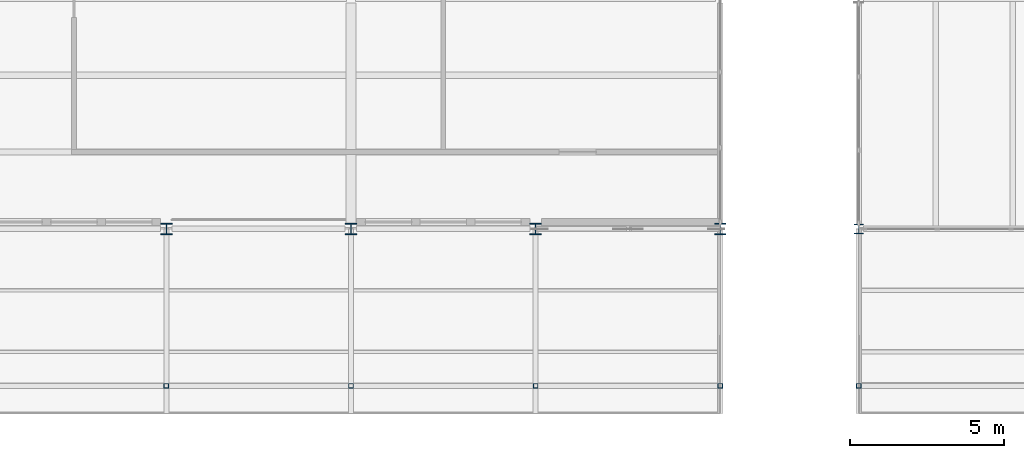
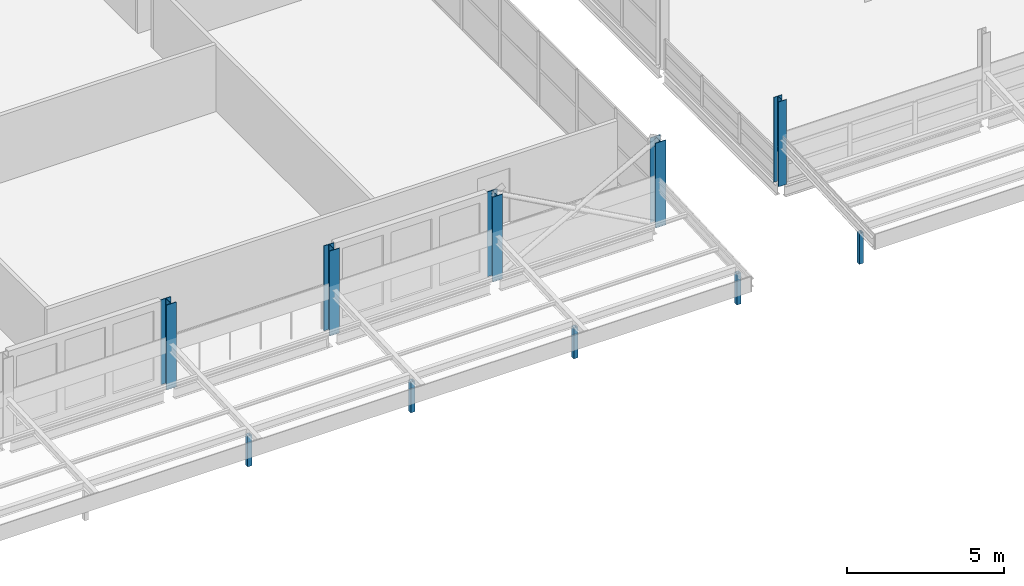
# One storey, part 6 of 214: 10 columns.
"""IFC4 building model written with IfcOpenShell, lengths in metres."""

from ifc_helpers import new_model, si_unit, direction, frame, origin, origin_2d, place, context, subcontext, project, spatial, hollow_rectangle, i_section, extrude, material, material_profile, profile_set, type_object, element, save


model = new_model("IFC4")

# Units and contexts
model_context = context("Model", 3, precision=1e-05, world=origin(), true_north=direction((0.0, 1.0)))
body_context = subcontext(model_context, "Body", "Model", "MODEL_VIEW")
ifc_project = project(units=[si_unit("LENGTHUNIT", "METRE"), si_unit("AREAUNIT", "SQUARE_METRE"), si_unit("VOLUMEUNIT", "CUBIC_METRE"), si_unit("PLANEANGLEUNIT", "RADIAN"), si_unit("MASSUNIT", "GRAM", prefix="KILO")], contexts=[model_context])

# Site, building, storey
site_placement = place(None, origin())
site = spatial("IfcSite", under=ifc_project, at=site_placement, CompositionType="ELEMENT")
building_placement = place(site_placement, origin())
building = spatial("IfcBuilding", under=site, at=building_placement, Name="Parallax Yard Mobility Hub", CompositionType="ELEMENT")
storey_placement = place(building_placement, frame((0.0, 0.0, 3.300048828125)))
storey = spatial("IfcBuildingStorey", under=building, at=storey_placement, Name="L01", CompositionType="ELEMENT", Elevation=3.300048828125)

# Columns
ifc_material_1 = material(Name="Steel ASTM A500 Gr C", Category="steel")
ifc_material_profile_1 = material_profile(ifc_material_1, hollow_rectangle(XDim=0.15234375, YDim=0.15234375, WallThickness=0.009521484375, at=origin_2d()), Name="HSS152x152x9.5")
ifc_profile_set_1 = profile_set([ifc_material_profile_1], Name="Steel ASTM A500 Gr C")
column_type_1 = type_object("IfcColumnType", Name="Roof column HSS152x152x9.5", PredefinedType="COLUMN", material=ifc_profile_set_1)
for number, where, z_axis, x_axis, name in (
    (1, (75.0, 2.39990234375, 0.0), (0.0, 0.0, 1.0), (1.0, 0.0, 0.0), "Arcade column V1 12 level L01"),
    (2, (81.0, 2.39990234375, 0.0), (0.0, 0.0, 1.0), (1.0, 0.0, 0.0), "Arcade column V1 13 level L01"),
    (3, (87.0, 2.39990234375, 0.0), (0.0, 0.0, 1.0), (1.0, 0.0, 0.0), "Arcade column V1 14 level L01"),
    (4, (93.0, 2.39990234375, 0.0), (0.0, 0.0, 1.0), (1.0, 0.0, 0.0), "Arcade column V1 15 level L01"),
    (5, (97.5, 2.39990234375, 0.0), (0.0, 0.0, 1.0), (1.0, 0.0, 0.0), "Arcade column V6 1 level L01"),
):
    element("IfcColumn", number, at=place(storey_placement, frame(where, z_axis=z_axis, x_axis=x_axis)), inside=storey, type_object=column_type_1, Name=name, PredefinedType="COLUMN", context=body_context, shape_type="SweptSolid", body=[
        extrude(hollow_rectangle(XDim=0.15234375, YDim=0.15234375, WallThickness=0.009521484375, at=origin_2d()), origin(), (0.0, 0.0, 1.0), 1.199951171875),
    ])
ifc_material_2 = material(Name="Steel ASTM A992", Category="steel")
ifc_material_profile_2 = material_profile(ifc_material_2, i_section(OverallWidth=0.304931640625, OverallDepth=0.306884765625, WebThickness=0.010009765625, FlangeThickness=0.015380859375, FilletRadius=0.01513671875, at=origin_2d()), Name="W310x97")
ifc_profile_set_2 = profile_set([ifc_material_profile_2], Name="Steel ASTM A992")
column_type_2 = type_object("IfcColumnType", Name="W310x97 column", PredefinedType="COLUMN", material=ifc_profile_set_2)
column_placement = place(storey_placement, frame((97.5, 7.5, 0.0), z_axis=(0.0, 0.0, 1.0), x_axis=(1.0, 0.0, 0.0)))
element("IfcColumn", 6, at=column_placement, inside=storey, type_object=column_type_2, Name="Column C1 level L01 at B/14 of mobility service centre and workshops", PredefinedType="COLUMN", context=body_context, shape_type="SweptSolid", body=[
    extrude(i_section(OverallWidth=0.304931640625, OverallDepth=0.306884765625, WebThickness=0.010009765625, FlangeThickness=0.015380859375, FilletRadius=0.01513671875, at=origin_2d()), origin(), (0.0, 0.0, 1.0), 3.300048828125),
])
ifc_material_profile_3 = material_profile(ifc_material_2, i_section(OverallWidth=0.373046875, OverallDepth=0.367919921875, WebThickness=0.014892578125, FlangeThickness=0.02392578125, FilletRadius=0.01513671875, at=origin_2d()), Name="W360x179")
ifc_profile_set_3 = profile_set([ifc_material_profile_3], Name="Steel ASTM A992")
column_type_3 = type_object("IfcColumnType", Name="W360x179 column", PredefinedType="COLUMN", material=ifc_profile_set_3)
for number, where, z_axis, x_axis, name in (
    (7, (75.0, 7.5, 0.0), (0.0, 0.0, 1.0), (1.0, 0.0, 0.0), "Column C7 level L01 at F12/B of bus and taxi deck"),
    (8, (81.0, 7.5, 0.0), (0.0, 0.0, 1.0), (1.0, 0.0, 0.0), "Column C7 level L01 at F13/B of bus and taxi deck"),
    (9, (87.0, 7.5, 0.0), (0.0, 0.0, 1.0), (1.0, 0.0, 0.0), "Column C7 level L01 at F14/B of bus and taxi deck"),
    (10, (93.0, 7.5, 0.0), (0.0, 0.0, 1.0), (1.0, 0.0, 0.0), "Column C7 level L01 at F15/B of bus and taxi deck"),
):
    element("IfcColumn", number, at=place(storey_placement, frame(where, z_axis=z_axis, x_axis=x_axis)), inside=storey, type_object=column_type_3, Name=name, PredefinedType="COLUMN", context=body_context, shape_type="SweptSolid", body=[
        extrude(i_section(OverallWidth=0.373046875, OverallDepth=0.367919921875, WebThickness=0.014892578125, FlangeThickness=0.02392578125, FilletRadius=0.01513671875, at=origin_2d()), origin(), (0.0, 0.0, 1.0), 3.300048828125),
    ])

save(model, "model.ifc")
